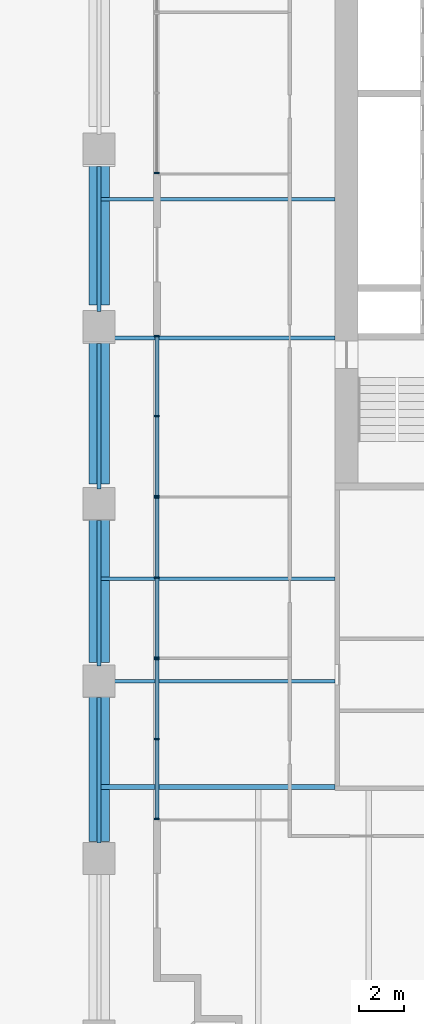
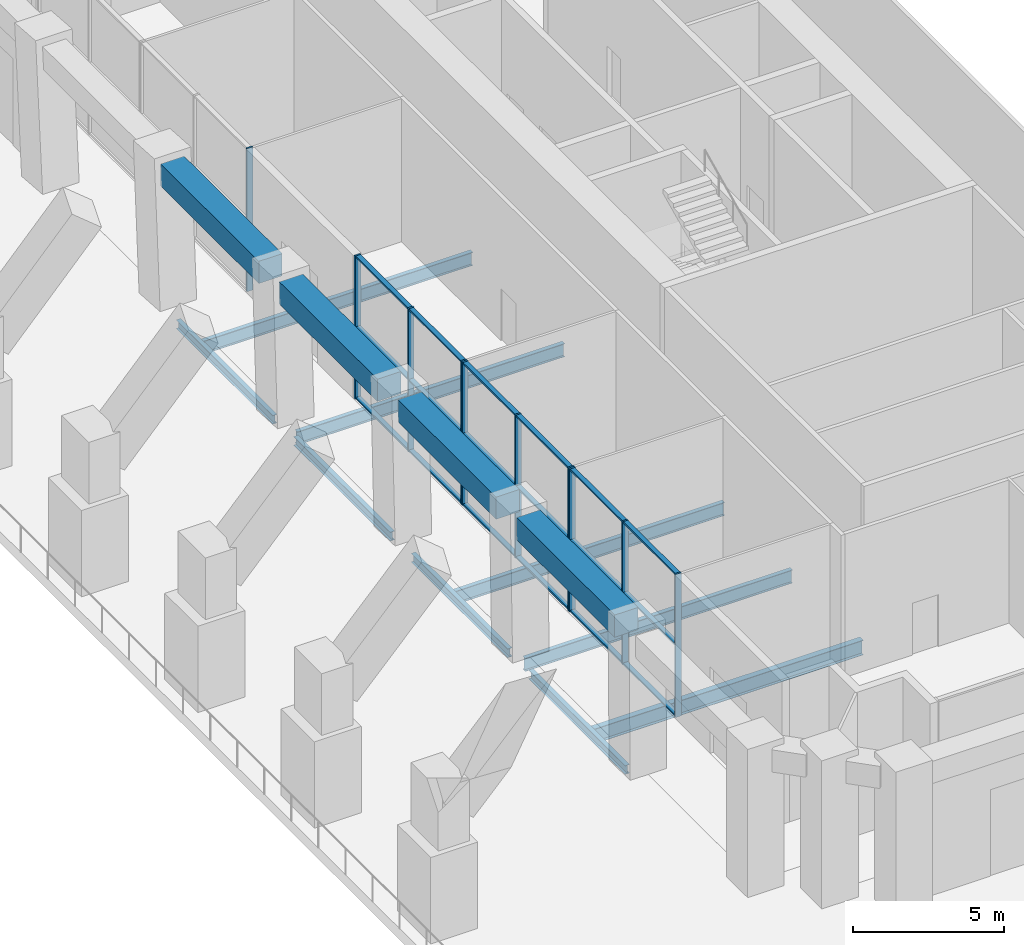
# One storey, part 4 of 20: 28 members, 13 beams, 4 elements without a shape of their own.
"""IFC4 building model written with IfcOpenShell, lengths in metres."""

from ifc_helpers import new_model, si_unit, direction, frame, origin, origin_2d, place, context, subcontext, project, spatial, rectangle, i_section, extrude, material, material_profile, profile_set, type_object, element, aggregate, save


model = new_model("IFC4")

# Units and contexts
model_context = context("Model", 3, precision=1e-05, world=origin(), true_north=direction((0.0, 1.0)))
body_context = subcontext(model_context, "Body", "Model", "MODEL_VIEW")
ifc_project = project(units=[si_unit("LENGTHUNIT", "METRE"), si_unit("AREAUNIT", "SQUARE_METRE"), si_unit("VOLUMEUNIT", "CUBIC_METRE"), si_unit("PLANEANGLEUNIT", "RADIAN"), si_unit("MASSUNIT", "GRAM", prefix="KILO")], contexts=[model_context])

# Site, building, storey
site_placement = place(None, origin())
site = spatial("IfcSite", under=ifc_project, at=site_placement, CompositionType="ELEMENT")
building_placement = place(site_placement, origin())
building = spatial("IfcBuilding", under=site, at=building_placement, Name="Ogive Exchange Tower", CompositionType="ELEMENT")
storey_placement = place(building_placement, frame((0.0, 0.0, 33.60009765625)))
storey = spatial("IfcBuildingStorey", under=building, at=storey_placement, Name="L06", CompositionType="ELEMENT", Elevation=33.60009765625)

# Beams
ifc_material_1 = material(Name="Steel ASTM A992 Gr50", Category="steel")
ifc_material_profile_1 = material_profile(ifc_material_1, i_section(OverallWidth=0.1669921875, OverallDepth=0.535888671875, WebThickness=0.01025390625, FlangeThickness=0.0166015625, at=origin_2d()), Name="W530x85")
ifc_profile_set_1 = profile_set([ifc_material_profile_1], Name="Steel ASTM A992 Gr50")
beam_type_1 = type_object("IfcBeamType", Name="Floor beam W530x85", PredefinedType="JOIST", material=ifc_profile_set_1)
beam_1_placement = place(storey_placement, frame((-32.2451171875, -11.17822265625, -0.718017578125), z_axis=(1.0, 0.0, 0.0), x_axis=(0.0, 1.0, 0.0)))
element("IfcBeam", 1, at=beam_1_placement, inside=storey, type_object=beam_type_1, Name="Floor beam", PredefinedType="JOIST", context=body_context, shape_type="SweptSolid", body=[
    extrude(i_section(OverallWidth=0.1669921875, OverallDepth=0.535888671875, WebThickness=0.01025390625, FlangeThickness=0.0166015625, at=origin_2d()), origin(), (0.0, 0.0, 1.0), 10.2451171875),
])
beam_2_placement = place(storey_placement, frame((-32.314453125, -6.666748046875, -0.718017578125), z_axis=(1.0, 0.0, 0.0), x_axis=(0.0, 1.0, 0.0)))
element("IfcBeam", 2, at=beam_2_placement, inside=storey, type_object=beam_type_1, Name="Floor beam", PredefinedType="JOIST", context=body_context, shape_type="SweptSolid", body=[
    extrude(i_section(OverallWidth=0.1669921875, OverallDepth=0.535888671875, WebThickness=0.01025390625, FlangeThickness=0.0166015625, at=origin_2d()), origin(), (0.0, 0.0, 1.0), 10.314453125),
])
beam_3_placement = place(storey_placement, frame((-32.2451171875, 3.9482421875, -0.718017578125), z_axis=(1.0, 0.0, 0.0), x_axis=(0.0, 1.0, 0.0)))
element("IfcBeam", 3, at=beam_3_placement, inside=storey, type_object=beam_type_1, Name="Floor beam", PredefinedType="JOIST", context=body_context, shape_type="SweptSolid", body=[
    extrude(i_section(OverallWidth=0.1669921875, OverallDepth=0.535888671875, WebThickness=0.01025390625, FlangeThickness=0.0166015625, at=origin_2d()), origin(), (0.0, 0.0, 1.0), 10.2451171875),
])
beam_4_placement = place(storey_placement, frame((-32.314453125, 10.0517578125, -0.718017578125), z_axis=(1.0, 0.0, 0.0), x_axis=(0.0, 1.0, 0.0)))
element("IfcBeam", 4, at=beam_4_placement, inside=storey, type_object=beam_type_1, Name="Floor beam", PredefinedType="JOIST", context=body_context, shape_type="SweptSolid", body=[
    extrude(i_section(OverallWidth=0.1669921875, OverallDepth=0.535888671875, WebThickness=0.01025390625, FlangeThickness=0.0166015625, at=origin_2d()), origin(), (0.0, 0.0, 1.0), 10.314453125),
])
ifc_material_profile_2 = material_profile(ifc_material_1, i_section(OverallWidth=0.1708984375, OverallDepth=0.35595703125, WebThickness=0.00732421875, FlangeThickness=0.01171875, at=origin_2d()), Name="W360x51")
ifc_profile_set_2 = profile_set([ifc_material_profile_2], Name="Steel ASTM A992 Gr50")
beam_type_2 = type_object("IfcBeamType", Name="Girder W360x51", PredefinedType="BEAM", material=ifc_profile_set_2)
for number, where, z_axis, x_axis, name in (
    (5, (-32.39990234375, 11.5, -0.628173828125), (0.0, -1.0, 0.0), (1.0, 0.0, 0.0), "Girder"),
    (6, (-32.39990234375, 3.699951171875, -0.628173828125), (0.0, -1.0, 0.0), (1.0, 0.0, 0.0), "Girder"),
    (7, (-32.39990234375, -4.10009765625, -0.628173828125), (0.0, -1.0, 0.0), (1.0, 0.0, 0.0), "Girder"),
):
    element("IfcBeam", number, at=place(storey_placement, frame(where, z_axis=z_axis, x_axis=x_axis)), inside=storey, type_object=beam_type_2, Name=name, PredefinedType="BEAM", context=body_context, shape_type="SweptSolid", body=[
        extrude(i_section(OverallWidth=0.1708984375, OverallDepth=0.35595703125, WebThickness=0.00732421875, FlangeThickness=0.01171875, at=origin_2d()), origin(), (0.0, 0.0, 1.0), 6.39990234375),
    ])
beam_5_placement = place(storey_placement, frame((-32.39990234375, -11.89990234375, -0.628173828125), z_axis=(0.0, -1.0, 0.0), x_axis=(1.0, 0.0, 0.0)))
element("IfcBeam", 8, at=beam_5_placement, inside=storey, type_object=beam_type_2, Name="Girder", PredefinedType="BEAM", context=body_context, shape_type="SweptSolid", body=[
    extrude(i_section(OverallWidth=0.1708984375, OverallDepth=0.35595703125, WebThickness=0.00732421875, FlangeThickness=0.01171875, at=origin_2d()), origin(), (0.0, 0.0, 1.0), 6.400146484375),
])
ifc_material_profile_3 = material_profile(ifc_material_1, i_section(OverallWidth=0.22802734375, OverallDepth=0.60205078125, WebThickness=0.010498046875, FlangeThickness=0.014892578125, at=origin_2d()), Name="W610x101")
ifc_profile_set_3 = profile_set([ifc_material_profile_3], Name="Steel ASTM A992 Gr50")
beam_type_3 = type_object("IfcBeamType", Name="Girder W610x101", PredefinedType="BEAM", material=ifc_profile_set_3)
beam_6_placement = place(storey_placement, frame((-32.314453125, -15.844970703125, -0.7509765625), z_axis=(1.0, 0.0, 0.0), x_axis=(0.0, 1.0, 0.0)))
element("IfcBeam", 9, at=beam_6_placement, inside=storey, type_object=beam_type_3, Name="Header girder", PredefinedType="BEAM", context=body_context, shape_type="SweptSolid", body=[
    extrude(i_section(OverallWidth=0.22802734375, OverallDepth=0.60205078125, WebThickness=0.010498046875, FlangeThickness=0.014892578125, at=origin_2d()), origin(), (0.0, 0.0, 1.0), 10.314453125),
])
ifc_material_2 = material(Name="Precast concrete C70/85 (limestone faced)", Category="masonry")
ifc_material_profile_4 = material_profile(ifc_material_2, rectangle(XDim=0.89990234375, YDim=0.89990234375, at=origin_2d()), Name="900 x 900")
ifc_profile_set_4 = profile_set([ifc_material_profile_4], Name="Precast concrete C70/85 (limestone faced)")
beam_type_4 = type_object("IfcBeamType", Name="Precast spandrel 900 x 900 C70/85", PredefinedType="SPANDREL", material=ifc_profile_set_4)
beam_7_placement = place(storey_placement, frame((-32.39990234375, 11.90966796875, 5.2998046875), z_axis=(0.0, -1.0, 0.0), x_axis=(1.0, 0.0, 0.0)))
element("IfcBeam", 10, at=beam_7_placement, inside=storey, type_object=beam_type_4, Name="Spandrel 28", PredefinedType="SPANDREL", context=body_context, shape_type="SweptSolid", body=[
    extrude(rectangle(XDim=0.89990234375, YDim=0.89990234375, at=origin_2d()), origin(), (0.0, 0.0, 1.0), 6.51806640625),
])
beam_8_placement = place(storey_placement, frame((-32.39990234375, 4.03173828125, 5.2998046875), z_axis=(0.0, -1.0, 0.0), x_axis=(1.0, 0.0, 0.0)))
element("IfcBeam", 11, at=beam_8_placement, inside=storey, type_object=beam_type_4, Name="Spandrel 29", PredefinedType="SPANDREL", context=body_context, shape_type="SweptSolid", body=[
    extrude(rectangle(XDim=0.89990234375, YDim=0.89990234375, at=origin_2d()), origin(), (0.0, 0.0, 1.0), 6.517822265625),
])
for number, where, z_axis, x_axis, name in (
    (12, (-32.39990234375, -3.84619140625, 5.2998046875), (0.0, -1.0, 0.0), (1.0, 0.0, 0.0), "Spandrel 30"),
    (13, (-32.39990234375, -11.72412109375, 5.2998046875), (0.0, -1.0, 0.0), (1.0, 0.0, 0.0), "Spandrel 31"),
):
    element("IfcBeam", number, at=place(storey_placement, frame(where, z_axis=z_axis, x_axis=x_axis)), inside=storey, type_object=beam_type_4, Name=name, PredefinedType="SPANDREL", context=body_context, shape_type="SweptSolid", body=[
        extrude(rectangle(XDim=0.89990234375, YDim=0.89990234375, at=origin_2d()), origin(), (0.0, 0.0, 1.0), 6.51806640625),
    ])

# Curtain wall, member
ifc_material_3 = material(Name="Anodised aluminium and clear glass", Category="aluminium")
curtain_wall_type = type_object("IfcCurtainWallType", Name="Sky lobby glazing", PredefinedType="NOTDEFINED", material=ifc_material_3)
curtain_wall_1_placement = place(storey_placement, origin())
curtain_wall_1 = element("IfcCurtainWall", 14, at=curtain_wall_1_placement, inside=storey, type_object=curtain_wall_type, Name="Sky lobby glazing run G21", PredefinedType="NOTDEFINED")
ifc_material_4 = material(Name="Anodised aluminium", Category="aluminium")
ifc_material_profile_5 = material_profile(ifc_material_4, rectangle(XDim=0.219970703125, YDim=0.070068359375, at=origin_2d()), Name="AL 70x220")
ifc_profile_set_5 = profile_set([ifc_material_profile_5], Name="Anodised aluminium")
member_type_1 = type_object("IfcMemberType", Name="Sky lobby glazing mullion 70 x 220", PredefinedType="MULLION", material=ifc_profile_set_5)
member_1_placement = place(storey_placement, frame((-29.85009765625, 11.206298828125, 0.0), z_axis=(0.0, 0.0, 1.0), x_axis=(1.0, 0.0, 0.0)))
member_1 = element("IfcMember", 15, at=member_1_placement, type_object=member_type_1, Name="G21 mullion 3", PredefinedType="MULLION", context=body_context, shape_type="SweptSolid", body=[
    extrude(rectangle(XDim=0.219970703125, YDim=0.070068359375, at=origin_2d()), origin(), (0.0, 0.0, 1.0), 5.7998046875),
])
aggregate(curtain_wall_1, [member_1])

# Curtain wall, members
curtain_wall_2_placement = place(storey_placement, origin())
curtain_wall_2 = element("IfcCurtainWall", 16, at=curtain_wall_2_placement, inside=storey, type_object=curtain_wall_type, Name="Sky lobby glazing run G23", PredefinedType="NOTDEFINED")
member_2_placement = place(storey_placement, frame((-29.85009765625, 4.022216796875, 0.0), z_axis=(0.0, 0.0, 1.0), x_axis=(1.0, 0.0, 0.0)))
member_2 = element("IfcMember", 17, at=member_2_placement, type_object=member_type_1, Name="G23 mullion 1", PredefinedType="MULLION", context=body_context, shape_type="SweptSolid", body=[
    extrude(rectangle(XDim=0.219970703125, YDim=0.070068359375, at=origin_2d()), origin(), (0.0, 0.0, 1.0), 5.7998046875),
])
member_3_placement = place(storey_placement, frame((-29.85009765625, 0.5, 0.0), z_axis=(0.0, 0.0, 1.0), x_axis=(1.0, 0.0, 0.0)))
member_3 = element("IfcMember", 18, at=member_3_placement, type_object=member_type_1, Name="G23 mullion 2", PredefinedType="MULLION", context=body_context, shape_type="SweptSolid", body=[
    extrude(rectangle(XDim=0.219970703125, YDim=0.070068359375, at=origin_2d()), origin(), (0.0, 0.0, 1.0), 5.7998046875),
])
member_4_placement = place(storey_placement, frame((-29.85009765625, -3.022216796875, 0.0), z_axis=(0.0, 0.0, 1.0), x_axis=(1.0, 0.0, 0.0)))
member_4 = element("IfcMember", 19, at=member_4_placement, type_object=member_type_1, Name="G23 mullion 3", PredefinedType="MULLION", context=body_context, shape_type="SweptSolid", body=[
    extrude(rectangle(XDim=0.219970703125, YDim=0.070068359375, at=origin_2d()), origin(), (0.0, 0.0, 1.0), 5.7998046875),
])

curtain_wall_3_placement = place(storey_placement, origin())
curtain_wall_3 = element("IfcCurtainWall", 20, at=curtain_wall_3_placement, inside=storey, type_object=curtain_wall_type, Name="Sky lobby glazing run G24", PredefinedType="NOTDEFINED")
member_5_placement = place(storey_placement, frame((-29.85009765625, -3.092041015625, 0.0), z_axis=(0.0, 0.0, 1.0), x_axis=(1.0, 0.0, 0.0)))
member_5 = element("IfcMember", 21, at=member_5_placement, type_object=member_type_1, Name="G24 mullion 1", PredefinedType="MULLION", context=body_context, shape_type="SweptSolid", body=[
    extrude(rectangle(XDim=0.219970703125, YDim=0.070068359375, at=origin_2d()), origin(), (0.0, 0.0, 1.0), 5.7998046875),
])
member_6_placement = place(storey_placement, frame((-29.85009765625, -6.6142578125, 0.0), z_axis=(0.0, 0.0, 1.0), x_axis=(1.0, 0.0, 0.0)))
member_6 = element("IfcMember", 22, at=member_6_placement, type_object=member_type_1, Name="G24 mullion 2", PredefinedType="MULLION", context=body_context, shape_type="SweptSolid", body=[
    extrude(rectangle(XDim=0.219970703125, YDim=0.070068359375, at=origin_2d()), origin(), (0.0, 0.0, 1.0), 5.7998046875),
])
member_7_placement = place(storey_placement, frame((-29.85009765625, -10.136474609375, 0.0), z_axis=(0.0, 0.0, 1.0), x_axis=(1.0, 0.0, 0.0)))
member_7 = element("IfcMember", 23, at=member_7_placement, type_object=member_type_1, Name="G24 mullion 3", PredefinedType="MULLION", context=body_context, shape_type="SweptSolid", body=[
    extrude(rectangle(XDim=0.219970703125, YDim=0.070068359375, at=origin_2d()), origin(), (0.0, 0.0, 1.0), 5.7998046875),
])

curtain_wall_4_placement = place(storey_placement, origin())
curtain_wall_4 = element("IfcCurtainWall", 24, at=curtain_wall_4_placement, inside=storey, type_object=curtain_wall_type, Name="Sky lobby glazing run G25", PredefinedType="NOTDEFINED")
member_8_placement = place(storey_placement, frame((-29.85009765625, -10.206298828125, 0.0), z_axis=(0.0, 0.0, 1.0), x_axis=(1.0, 0.0, 0.0)))
member_8 = element("IfcMember", 25, at=member_8_placement, type_object=member_type_1, Name="G25 mullion 1", PredefinedType="MULLION", context=body_context, shape_type="SweptSolid", body=[
    extrude(rectangle(XDim=0.219970703125, YDim=0.070068359375, at=origin_2d()), origin(), (0.0, 0.0, 1.0), 5.7998046875),
])
member_9_placement = place(storey_placement, frame((-29.85009765625, -13.728515625, 0.0), z_axis=(0.0, 0.0, 1.0), x_axis=(1.0, 0.0, 0.0)))
member_9 = element("IfcMember", 26, at=member_9_placement, type_object=member_type_1, Name="G25 mullion 2", PredefinedType="MULLION", context=body_context, shape_type="SweptSolid", body=[
    extrude(rectangle(XDim=0.219970703125, YDim=0.070068359375, at=origin_2d()), origin(), (0.0, 0.0, 1.0), 5.7998046875),
])
member_10_placement = place(storey_placement, frame((-29.85009765625, -17.250732421875, 0.0), z_axis=(0.0, 0.0, 1.0), x_axis=(1.0, 0.0, 0.0)))
member_10 = element("IfcMember", 27, at=member_10_placement, type_object=member_type_1, Name="G25 mullion 3", PredefinedType="MULLION", context=body_context, shape_type="SweptSolid", body=[
    extrude(rectangle(XDim=0.219970703125, YDim=0.070068359375, at=origin_2d()), origin(), (0.0, 0.0, 1.0), 5.7998046875),
])

# Member
ifc_material_profile_6 = material_profile(ifc_material_4, rectangle(XDim=0.179931640625, YDim=0.070068359375, at=origin_2d()), Name="AL 70x180")
ifc_profile_set_6 = profile_set([ifc_material_profile_6], Name="Anodised aluminium")
member_type_2 = type_object("IfcMemberType", Name="Sky lobby glazing transom 70 x 180", PredefinedType="USERDEFINED", material=ifc_profile_set_6)
member_11_placement = place(storey_placement, frame((-29.85009765625, 3.987060546875, 0.034912109375), z_axis=(0.0, -1.0, 0.0), x_axis=(1.0, 0.0, 0.0)))
member_11 = element("IfcMember", 28, at=member_11_placement, type_object=member_type_2, Name="G23 transom 1.1", ObjectType="TRANSOM", PredefinedType="USERDEFINED", context=body_context, shape_type="SweptSolid", body=[
    extrude(rectangle(XDim=0.179931640625, YDim=0.070068359375, at=origin_2d()), origin(), (0.0, 0.0, 1.0), 3.4521484375),
])

member_12_placement = place(storey_placement, frame((-29.85009765625, 3.987060546875, 2.89990234375), z_axis=(0.0, -1.0, 0.0), x_axis=(1.0, 0.0, 0.0)))
member_12 = element("IfcMember", 29, at=member_12_placement, type_object=member_type_2, Name="G23 transom 1.2", ObjectType="TRANSOM", PredefinedType="USERDEFINED", context=body_context, shape_type="SweptSolid", body=[
    extrude(rectangle(XDim=0.179931640625, YDim=0.070068359375, at=origin_2d()), origin(), (0.0, 0.0, 1.0), 3.4521484375),
])

member_13_placement = place(storey_placement, frame((-29.85009765625, 3.987060546875, 5.764892578125), z_axis=(0.0, -1.0, 0.0), x_axis=(1.0, 0.0, 0.0)))
member_13 = element("IfcMember", 30, at=member_13_placement, type_object=member_type_2, Name="G23 transom 1.3", ObjectType="TRANSOM", PredefinedType="USERDEFINED", context=body_context, shape_type="SweptSolid", body=[
    extrude(rectangle(XDim=0.179931640625, YDim=0.070068359375, at=origin_2d()), origin(), (0.0, 0.0, 1.0), 3.4521484375),
])

member_14_placement = place(storey_placement, frame((-29.85009765625, 0.465087890625, 0.034912109375), z_axis=(0.0, -1.0, 0.0), x_axis=(1.0, 0.0, 0.0)))
member_14 = element("IfcMember", 31, at=member_14_placement, type_object=member_type_2, Name="G23 transom 2.1", ObjectType="TRANSOM", PredefinedType="USERDEFINED", context=body_context, shape_type="SweptSolid", body=[
    extrude(rectangle(XDim=0.179931640625, YDim=0.070068359375, at=origin_2d()), origin(), (0.0, 0.0, 1.0), 3.4521484375),
])

member_15_placement = place(storey_placement, frame((-29.85009765625, 0.465087890625, 2.89990234375), z_axis=(0.0, -1.0, 0.0), x_axis=(1.0, 0.0, 0.0)))
member_15 = element("IfcMember", 32, at=member_15_placement, type_object=member_type_2, Name="G23 transom 2.2", ObjectType="TRANSOM", PredefinedType="USERDEFINED", context=body_context, shape_type="SweptSolid", body=[
    extrude(rectangle(XDim=0.179931640625, YDim=0.070068359375, at=origin_2d()), origin(), (0.0, 0.0, 1.0), 3.4521484375),
])

member_16_placement = place(storey_placement, frame((-29.85009765625, 0.465087890625, 5.764892578125), z_axis=(0.0, -1.0, 0.0), x_axis=(1.0, 0.0, 0.0)))
member_16 = element("IfcMember", 33, at=member_16_placement, type_object=member_type_2, Name="G23 transom 2.3", ObjectType="TRANSOM", PredefinedType="USERDEFINED", context=body_context, shape_type="SweptSolid", body=[
    extrude(rectangle(XDim=0.179931640625, YDim=0.070068359375, at=origin_2d()), origin(), (0.0, 0.0, 1.0), 3.4521484375),
])

aggregate(curtain_wall_2, [member_2, member_3, member_4, member_11, member_12, member_13, member_14, member_15, member_16])

member_17_placement = place(storey_placement, frame((-29.85009765625, -3.127197265625, 0.034912109375), z_axis=(0.0, -1.0, 0.0), x_axis=(1.0, 0.0, 0.0)))
member_17 = element("IfcMember", 34, at=member_17_placement, type_object=member_type_2, Name="G24 transom 1.1", ObjectType="TRANSOM", PredefinedType="USERDEFINED", context=body_context, shape_type="SweptSolid", body=[
    extrude(rectangle(XDim=0.179931640625, YDim=0.070068359375, at=origin_2d()), origin(), (0.0, 0.0, 1.0), 3.4521484375),
])

member_18_placement = place(storey_placement, frame((-29.85009765625, -3.127197265625, 2.89990234375), z_axis=(0.0, -1.0, 0.0), x_axis=(1.0, 0.0, 0.0)))
member_18 = element("IfcMember", 35, at=member_18_placement, type_object=member_type_2, Name="G24 transom 1.2", ObjectType="TRANSOM", PredefinedType="USERDEFINED", context=body_context, shape_type="SweptSolid", body=[
    extrude(rectangle(XDim=0.179931640625, YDim=0.070068359375, at=origin_2d()), origin(), (0.0, 0.0, 1.0), 3.4521484375),
])

member_19_placement = place(storey_placement, frame((-29.85009765625, -3.127197265625, 5.764892578125), z_axis=(0.0, -1.0, 0.0), x_axis=(1.0, 0.0, 0.0)))
member_19 = element("IfcMember", 36, at=member_19_placement, type_object=member_type_2, Name="G24 transom 1.3", ObjectType="TRANSOM", PredefinedType="USERDEFINED", context=body_context, shape_type="SweptSolid", body=[
    extrude(rectangle(XDim=0.179931640625, YDim=0.070068359375, at=origin_2d()), origin(), (0.0, 0.0, 1.0), 3.4521484375),
])

member_20_placement = place(storey_placement, frame((-29.85009765625, -6.649169921875, 0.034912109375), z_axis=(0.0, -1.0, 0.0), x_axis=(1.0, 0.0, 0.0)))
member_20 = element("IfcMember", 37, at=member_20_placement, type_object=member_type_2, Name="G24 transom 2.1", ObjectType="TRANSOM", PredefinedType="USERDEFINED", context=body_context, shape_type="SweptSolid", body=[
    extrude(rectangle(XDim=0.179931640625, YDim=0.070068359375, at=origin_2d()), origin(), (0.0, 0.0, 1.0), 3.4521484375),
])

member_21_placement = place(storey_placement, frame((-29.85009765625, -6.649169921875, 2.89990234375), z_axis=(0.0, -1.0, 0.0), x_axis=(1.0, 0.0, 0.0)))
member_21 = element("IfcMember", 38, at=member_21_placement, type_object=member_type_2, Name="G24 transom 2.2", ObjectType="TRANSOM", PredefinedType="USERDEFINED", context=body_context, shape_type="SweptSolid", body=[
    extrude(rectangle(XDim=0.179931640625, YDim=0.070068359375, at=origin_2d()), origin(), (0.0, 0.0, 1.0), 3.4521484375),
])

member_22_placement = place(storey_placement, frame((-29.85009765625, -6.649169921875, 5.764892578125), z_axis=(0.0, -1.0, 0.0), x_axis=(1.0, 0.0, 0.0)))
member_22 = element("IfcMember", 39, at=member_22_placement, type_object=member_type_2, Name="G24 transom 2.3", ObjectType="TRANSOM", PredefinedType="USERDEFINED", context=body_context, shape_type="SweptSolid", body=[
    extrude(rectangle(XDim=0.179931640625, YDim=0.070068359375, at=origin_2d()), origin(), (0.0, 0.0, 1.0), 3.4521484375),
])

aggregate(curtain_wall_3, [member_5, member_6, member_7, member_17, member_18, member_19, member_20, member_21, member_22])

member_23_placement = place(storey_placement, frame((-29.85009765625, -10.241455078125, 0.034912109375), z_axis=(0.0, -1.0, 0.0), x_axis=(1.0, 0.0, 0.0)))
member_23 = element("IfcMember", 40, at=member_23_placement, type_object=member_type_2, Name="G25 transom 1.1", ObjectType="TRANSOM", PredefinedType="USERDEFINED", context=body_context, shape_type="SweptSolid", body=[
    extrude(rectangle(XDim=0.179931640625, YDim=0.070068359375, at=origin_2d()), origin(), (0.0, 0.0, 1.0), 3.4521484375),
])

member_24_placement = place(storey_placement, frame((-29.85009765625, -10.241455078125, 2.89990234375), z_axis=(0.0, -1.0, 0.0), x_axis=(1.0, 0.0, 0.0)))
member_24 = element("IfcMember", 41, at=member_24_placement, type_object=member_type_2, Name="G25 transom 1.2", ObjectType="TRANSOM", PredefinedType="USERDEFINED", context=body_context, shape_type="SweptSolid", body=[
    extrude(rectangle(XDim=0.179931640625, YDim=0.070068359375, at=origin_2d()), origin(), (0.0, 0.0, 1.0), 3.4521484375),
])

member_25_placement = place(storey_placement, frame((-29.85009765625, -10.241455078125, 5.764892578125), z_axis=(0.0, -1.0, 0.0), x_axis=(1.0, 0.0, 0.0)))
member_25 = element("IfcMember", 42, at=member_25_placement, type_object=member_type_2, Name="G25 transom 1.3", ObjectType="TRANSOM", PredefinedType="USERDEFINED", context=body_context, shape_type="SweptSolid", body=[
    extrude(rectangle(XDim=0.179931640625, YDim=0.070068359375, at=origin_2d()), origin(), (0.0, 0.0, 1.0), 3.4521484375),
])

member_26_placement = place(storey_placement, frame((-29.85009765625, -13.763671875, 0.034912109375), z_axis=(0.0, -1.0, 0.0), x_axis=(1.0, 0.0, 0.0)))
member_26 = element("IfcMember", 43, at=member_26_placement, type_object=member_type_2, Name="G25 transom 2.1", ObjectType="TRANSOM", PredefinedType="USERDEFINED", context=body_context, shape_type="SweptSolid", body=[
    extrude(rectangle(XDim=0.179931640625, YDim=0.070068359375, at=origin_2d()), origin(), (0.0, 0.0, 1.0), 3.4521484375),
])

member_27_placement = place(storey_placement, frame((-29.85009765625, -13.763671875, 2.89990234375), z_axis=(0.0, -1.0, 0.0), x_axis=(1.0, 0.0, 0.0)))
member_27 = element("IfcMember", 44, at=member_27_placement, type_object=member_type_2, Name="G25 transom 2.2", ObjectType="TRANSOM", PredefinedType="USERDEFINED", context=body_context, shape_type="SweptSolid", body=[
    extrude(rectangle(XDim=0.179931640625, YDim=0.070068359375, at=origin_2d()), origin(), (0.0, 0.0, 1.0), 3.4521484375),
])

member_28_placement = place(storey_placement, frame((-29.85009765625, -13.763671875, 5.764892578125), z_axis=(0.0, -1.0, 0.0), x_axis=(1.0, 0.0, 0.0)))
member_28 = element("IfcMember", 45, at=member_28_placement, type_object=member_type_2, Name="G25 transom 2.3", ObjectType="TRANSOM", PredefinedType="USERDEFINED", context=body_context, shape_type="SweptSolid", body=[
    extrude(rectangle(XDim=0.179931640625, YDim=0.070068359375, at=origin_2d()), origin(), (0.0, 0.0, 1.0), 3.4521484375),
])

aggregate(curtain_wall_4, [member_8, member_9, member_10, member_23, member_24, member_25, member_26, member_27, member_28])

save(model, "model.ifc")
